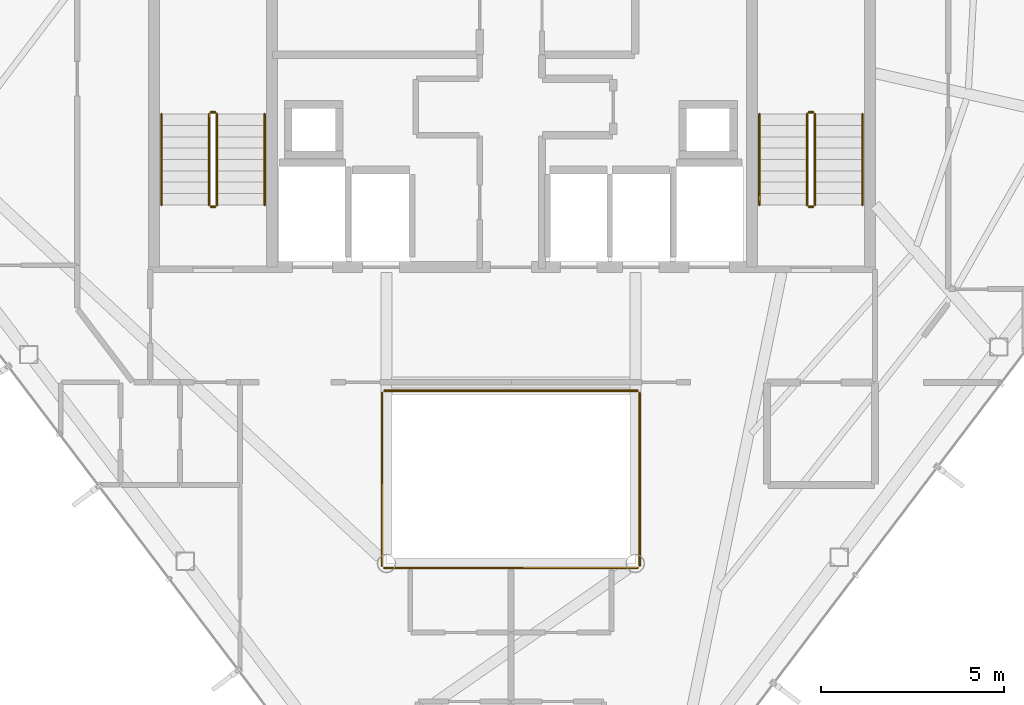
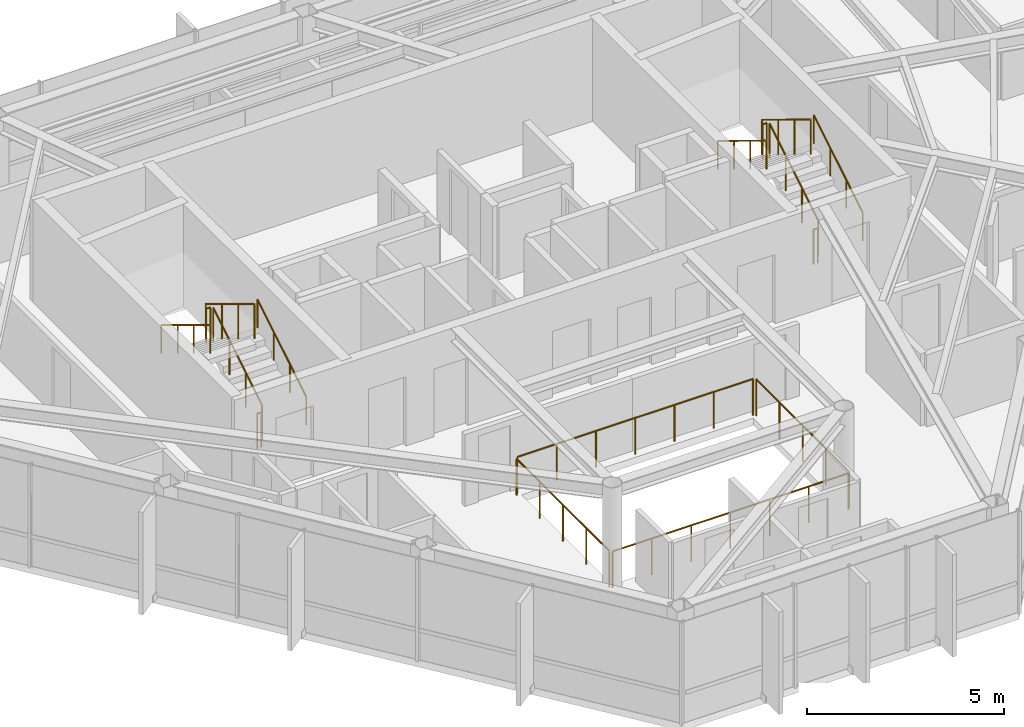
# One storey, part 26 of 26: 16 railings.
"""IFC4 building model written with IfcOpenShell, lengths in metres."""

from ifc_helpers import new_model, si_unit, direction, frame, origin, origin_2d, place, context, subcontext, project, spatial, circle, extrude, material, type_object, element, save


model = new_model("IFC4")

# Units and contexts
model_context = context("Model", 3, precision=1e-05, world=origin(), true_north=direction((0.0, 1.0)))
body_context = subcontext(model_context, "Body", "Model", "MODEL_VIEW")
ifc_project = project(units=[si_unit("LENGTHUNIT", "METRE"), si_unit("AREAUNIT", "SQUARE_METRE"), si_unit("VOLUMEUNIT", "CUBIC_METRE"), si_unit("PLANEANGLEUNIT", "RADIAN"), si_unit("MASSUNIT", "GRAM", prefix="KILO")], contexts=[model_context])

# Site, building, storey
site_placement = place(None, origin())
site = spatial("IfcSite", under=ifc_project, at=site_placement, CompositionType="ELEMENT")
building_placement = place(site_placement, origin())
building = spatial("IfcBuilding", under=site, at=building_placement, Name="Zarrinselat Tower", CompositionType="ELEMENT")
storey_placement = place(building_placement, frame((0.0, 0.0, 258.39990234375)))
storey = spatial("IfcBuildingStorey", under=building, at=storey_placement, Name="L65", CompositionType="ELEMENT", Elevation=258.39990234375)

# Railings
ifc_material_1 = material(Name="Double Low-E Laminated Solar Glass", Category="glass")
railing_type_1 = type_object("IfcRailingType", Name="RLG-ATRIUM-BAL", PredefinedType="BALUSTRADE", material=ifc_material_1)
railing_1_placement = place(storey_placement, frame((34.93994140625, 25.080078125, 0.0)))
element("IfcRailing", 1, at=railing_1_placement, inside=storey, type_object=railing_type_1, Name="L65 Atrium Void Glass Balustrade S", PredefinedType="BALUSTRADE", context=body_context, shape_type="SweptSolid", body=[
    extrude(circle(Radius=0.02392578125, at=origin_2d()), frame((0.0, 0.0, 1.1259765625), z_axis=(1.0, 0.0, 0.0), x_axis=(0.0, 1.0, 0.0)), (0.0, 0.0, 1.0), 6.920166015625),
    extrude(circle(Radius=0.02099609375, at=origin_2d()), origin(), (0.0, 0.0, 1.0), 1.099853515625),
    extrude(circle(Radius=0.02099609375, at=origin_2d()), frame((1.1533203125, 0.0, 0.0)), (0.0, 0.0, 1.0), 1.099853515625),
    extrude(circle(Radius=0.02099609375, at=origin_2d()), frame((2.306640625, 0.0, 0.0)), (0.0, 0.0, 1.0), 1.099853515625),
    extrude(circle(Radius=0.02099609375, at=origin_2d()), frame((3.4599609375, 0.0, 0.0)), (0.0, 0.0, 1.0), 1.099853515625),
    extrude(circle(Radius=0.02099609375, at=origin_2d()), frame((4.613525390625, 0.0, 0.0)), (0.0, 0.0, 1.0), 1.099853515625),
    extrude(circle(Radius=0.02099609375, at=origin_2d()), frame((5.766845703125, 0.0, 0.0)), (0.0, 0.0, 1.0), 1.099853515625),
    extrude(circle(Radius=0.02099609375, at=origin_2d()), frame((6.920166015625, 0.0, 0.0)), (0.0, 0.0, 1.0), 1.099853515625),
])
railing_2_placement = place(storey_placement, frame((41.919921875, 25.139892578125, 0.0)))
element("IfcRailing", 2, at=railing_2_placement, inside=storey, type_object=railing_type_1, Name="L65 Atrium Void Glass Balustrade E", PredefinedType="BALUSTRADE", context=body_context, shape_type="SweptSolid", body=[
    extrude(circle(Radius=0.02392578125, at=origin_2d()), frame((0.0, 0.0, 1.1259765625), z_axis=(0.0, 1.0, 0.0), x_axis=(-1.0, 0.0, 0.0)), (0.0, 0.0, 1.0), 4.72021484375),
    extrude(circle(Radius=0.02099609375, at=origin_2d()), origin(), (0.0, 0.0, 1.0), 1.099853515625),
    extrude(circle(Radius=0.02099609375, at=origin_2d()), frame((0.0, 1.18017578125, 0.0)), (0.0, 0.0, 1.0), 1.099853515625),
    extrude(circle(Radius=0.02099609375, at=origin_2d()), frame((0.0, 2.360107421875, 0.0)), (0.0, 0.0, 1.0), 1.099853515625),
    extrude(circle(Radius=0.02099609375, at=origin_2d()), frame((0.0, 3.5400390625, 0.0)), (0.0, 0.0, 1.0), 1.099853515625),
    extrude(circle(Radius=0.02099609375, at=origin_2d()), frame((0.0, 4.72021484375, 0.0)), (0.0, 0.0, 1.0), 1.099853515625),
])
railing_3_placement = place(storey_placement, frame((41.860107421875, 29.919921875, 0.0)))
element("IfcRailing", 3, at=railing_3_placement, inside=storey, type_object=railing_type_1, Name="L65 Atrium Void Glass Balustrade N", PredefinedType="BALUSTRADE", context=body_context, shape_type="SweptSolid", body=[
    extrude(circle(Radius=0.02392578125, at=origin_2d()), frame((0.0, 0.0, 1.1259765625), z_axis=(-1.0, 0.0, 0.0), x_axis=(0.0, -1.0, 0.0)), (0.0, 0.0, 1.0), 6.920166015625),
    extrude(circle(Radius=0.02099609375, at=origin_2d()), origin(), (0.0, 0.0, 1.0), 1.099853515625),
    extrude(circle(Radius=0.02099609375, at=origin_2d()), frame((-1.1533203125, 0.0, 0.0)), (0.0, 0.0, 1.0), 1.099853515625),
    extrude(circle(Radius=0.02099609375, at=origin_2d()), frame((-2.306640625, 0.0, 0.0)), (0.0, 0.0, 1.0), 1.099853515625),
    extrude(circle(Radius=0.02099609375, at=origin_2d()), frame((-3.4599609375, 0.0, 0.0)), (0.0, 0.0, 1.0), 1.099853515625),
    extrude(circle(Radius=0.02099609375, at=origin_2d()), frame((-4.613525390625, 0.0, 0.0)), (0.0, 0.0, 1.0), 1.099853515625),
    extrude(circle(Radius=0.02099609375, at=origin_2d()), frame((-5.766845703125, 0.0, 0.0)), (0.0, 0.0, 1.0), 1.099853515625),
    extrude(circle(Radius=0.02099609375, at=origin_2d()), frame((-6.920166015625, 0.0, 0.0)), (0.0, 0.0, 1.0), 1.099853515625),
])
railing_4_placement = place(storey_placement, frame((34.8798828125, 29.860107421875, 0.0)))
element("IfcRailing", 4, at=railing_4_placement, inside=storey, type_object=railing_type_1, Name="L65 Atrium Void Glass Balustrade W", PredefinedType="BALUSTRADE", context=body_context, shape_type="SweptSolid", body=[
    extrude(circle(Radius=0.02392578125, at=origin_2d()), frame((0.0, 0.0, 1.1259765625), z_axis=(0.0, -1.0, 0.0), x_axis=(1.0, 0.0, 0.0)), (0.0, 0.0, 1.0), 4.72021484375),
    extrude(circle(Radius=0.02099609375, at=origin_2d()), origin(), (0.0, 0.0, 1.0), 1.099853515625),
    extrude(circle(Radius=0.02099609375, at=origin_2d()), frame((0.0, -1.18017578125, 0.0)), (0.0, 0.0, 1.0), 1.099853515625),
    extrude(circle(Radius=0.02099609375, at=origin_2d()), frame((0.0, -2.360107421875, 0.0)), (0.0, 0.0, 1.0), 1.099853515625),
    extrude(circle(Radius=0.02099609375, at=origin_2d()), frame((0.0, -3.5400390625, 0.0)), (0.0, 0.0, 1.0), 1.099853515625),
    extrude(circle(Radius=0.02099609375, at=origin_2d()), frame((0.0, -4.72021484375, 0.0)), (0.0, 0.0, 1.0), 1.099853515625),
])
ifc_material_2 = material(Name="Steel S355J2", Category="steel")
railing_type_2 = type_object("IfcRailingType", Name="RLG-STAIR-GUARD", PredefinedType="GUARDRAIL", material=ifc_material_2)
railing_5_placement = place(storey_placement, frame((30.3701171875, 35.0, 0.18896484375)))
element("IfcRailing", 5, at=railing_5_placement, inside=storey, type_object=railing_type_2, Name="L65 ST-1 stair guard 1", PredefinedType="GUARDRAIL", context=body_context, shape_type="SweptSolid", body=[
    extrude(circle(Radius=0.02392578125, at=origin_2d()), frame((0.0, 0.0, 1.076171875), z_axis=(0.0, 0.853941963558, 0.520368256982), x_axis=(-1.0, 0.0, 0.0)), (0.0, 0.0, 1.0), 2.904052734375),
    extrude(circle(Radius=0.02099609375, at=origin_2d()), origin(), (0.0, 0.0, 1.0), 1.050048828125),
    extrude(circle(Radius=0.02099609375, at=origin_2d()), frame((0.0, 0.82666015625, 0.503662109375)), (0.0, 0.0, 1.0), 1.050048828125),
    extrude(circle(Radius=0.02099609375, at=origin_2d()), frame((0.0, 1.6533203125, 1.007568359375)), (0.0, 0.0, 1.0), 1.050048828125),
    extrude(circle(Radius=0.02099609375, at=origin_2d()), frame((0.0, 2.47998046875, 1.51123046875)), (0.0, 0.0, 1.0), 1.050048828125),
])
railing_6_placement = place(storey_placement, frame((30.320068359375, 37.530029296875, 1.7001953125)))
element("IfcRailing", 6, at=railing_6_placement, inside=storey, type_object=railing_type_2, Name="L65 ST-1 stair guard 2", PredefinedType="GUARDRAIL", context=body_context, shape_type="SweptSolid", body=[
    extrude(circle(Radius=0.02392578125, at=origin_2d()), frame((0.0, 0.0, 1.076171875), z_axis=(-1.0, 0.0, 0.0), x_axis=(0.0, -1.0, 0.0)), (0.0, 0.0, 1.0), 0.1201171875),
    extrude(circle(Radius=0.02099609375, at=origin_2d()), origin(), (0.0, 0.0, 1.0), 1.050048828125),
    extrude(circle(Radius=0.02099609375, at=origin_2d()), frame((-0.1201171875, 0.0, 0.0)), (0.0, 0.0, 1.0), 1.050048828125),
])
railing_7_placement = place(storey_placement, frame((30.14990234375, 37.47998046875, 1.888916015625)))
element("IfcRailing", 7, at=railing_7_placement, inside=storey, type_object=railing_type_2, Name="L65 ST-1 stair guard 3", PredefinedType="GUARDRAIL", context=body_context, shape_type="SweptSolid", body=[
    extrude(circle(Radius=0.02392578125, at=origin_2d()), frame((0.0, 0.0, 1.076171875), z_axis=(0.0, -0.853941963558, 0.520368256982), x_axis=(1.0, 0.0, 0.0)), (0.0, 0.0, 1.0), 2.904052734375),
    extrude(circle(Radius=0.02099609375, at=origin_2d()), origin(), (0.0, 0.0, 1.0), 1.050048828125),
    extrude(circle(Radius=0.02099609375, at=origin_2d()), frame((0.0, -0.82666015625, 0.503662109375)), (0.0, 0.0, 1.0), 1.050048828125),
    extrude(circle(Radius=0.02099609375, at=origin_2d()), frame((0.0, -1.6533203125, 1.007568359375)), (0.0, 0.0, 1.0), 1.050048828125),
    extrude(circle(Radius=0.02099609375, at=origin_2d()), frame((0.0, -2.47998046875, 1.51123046875)), (0.0, 0.0, 1.0), 1.050048828125),
])
railing_8_placement = place(storey_placement, frame((30.320068359375, 34.949951171875, 0.0)))
element("IfcRailing", 8, at=railing_8_placement, inside=storey, type_object=railing_type_2, Name="L65 ST-1 stair guard 4", PredefinedType="GUARDRAIL", context=body_context, shape_type="SweptSolid", body=[
    extrude(circle(Radius=0.02392578125, at=origin_2d()), frame((0.0, 0.0, 1.076171875), z_axis=(-1.0, 0.0, 0.0), x_axis=(0.0, -1.0, 0.0)), (0.0, 0.0, 1.0), 0.1201171875),
    extrude(circle(Radius=0.02099609375, at=origin_2d()), origin(), (0.0, 0.0, 1.0), 1.050048828125),
    extrude(circle(Radius=0.02099609375, at=origin_2d()), frame((-0.1201171875, 0.0, 0.0)), (0.0, 0.0, 1.0), 1.050048828125),
])
railing_9_placement = place(storey_placement, frame((46.7099609375, 35.0, 0.18896484375)))
element("IfcRailing", 9, at=railing_9_placement, inside=storey, type_object=railing_type_2, Name="L65 ST-2 stair guard 1", PredefinedType="GUARDRAIL", context=body_context, shape_type="SweptSolid", body=[
    extrude(circle(Radius=0.02392578125, at=origin_2d()), frame((0.0, 0.0, 1.076171875), z_axis=(0.0, 0.853941963558, 0.520368256982), x_axis=(-1.0, 0.0, 0.0)), (0.0, 0.0, 1.0), 2.904052734375),
    extrude(circle(Radius=0.02099609375, at=origin_2d()), origin(), (0.0, 0.0, 1.0), 1.050048828125),
    extrude(circle(Radius=0.02099609375, at=origin_2d()), frame((0.0, 0.82666015625, 0.503662109375)), (0.0, 0.0, 1.0), 1.050048828125),
    extrude(circle(Radius=0.02099609375, at=origin_2d()), frame((0.0, 1.6533203125, 1.007568359375)), (0.0, 0.0, 1.0), 1.050048828125),
    extrude(circle(Radius=0.02099609375, at=origin_2d()), frame((0.0, 2.47998046875, 1.51123046875)), (0.0, 0.0, 1.0), 1.050048828125),
])
railing_10_placement = place(storey_placement, frame((46.659912109375, 37.530029296875, 1.7001953125)))
element("IfcRailing", 10, at=railing_10_placement, inside=storey, type_object=railing_type_2, Name="L65 ST-2 stair guard 2", PredefinedType="GUARDRAIL", context=body_context, shape_type="SweptSolid", body=[
    extrude(circle(Radius=0.02392578125, at=origin_2d()), frame((0.0, 0.0, 1.076171875), z_axis=(-1.0, 0.0, 0.0), x_axis=(0.0, -1.0, 0.0)), (0.0, 0.0, 1.0), 0.119873046875),
    extrude(circle(Radius=0.02099609375, at=origin_2d()), origin(), (0.0, 0.0, 1.0), 1.050048828125),
    extrude(circle(Radius=0.02099609375, at=origin_2d()), frame((-0.119873046875, 0.0, 0.0)), (0.0, 0.0, 1.0), 1.050048828125),
])
railing_11_placement = place(storey_placement, frame((46.489990234375, 37.47998046875, 1.888916015625)))
element("IfcRailing", 11, at=railing_11_placement, inside=storey, type_object=railing_type_2, Name="L65 ST-2 stair guard 3", PredefinedType="GUARDRAIL", context=body_context, shape_type="SweptSolid", body=[
    extrude(circle(Radius=0.02392578125, at=origin_2d()), frame((0.0, 0.0, 1.076171875), z_axis=(0.0, -0.853941963558, 0.520368256982), x_axis=(1.0, 0.0, 0.0)), (0.0, 0.0, 1.0), 2.904052734375),
    extrude(circle(Radius=0.02099609375, at=origin_2d()), origin(), (0.0, 0.0, 1.0), 1.050048828125),
    extrude(circle(Radius=0.02099609375, at=origin_2d()), frame((0.0, -0.82666015625, 0.503662109375)), (0.0, 0.0, 1.0), 1.050048828125),
    extrude(circle(Radius=0.02099609375, at=origin_2d()), frame((0.0, -1.6533203125, 1.007568359375)), (0.0, 0.0, 1.0), 1.050048828125),
    extrude(circle(Radius=0.02099609375, at=origin_2d()), frame((0.0, -2.47998046875, 1.51123046875)), (0.0, 0.0, 1.0), 1.050048828125),
])
railing_12_placement = place(storey_placement, frame((46.659912109375, 34.949951171875, 0.0)))
element("IfcRailing", 12, at=railing_12_placement, inside=storey, type_object=railing_type_2, Name="L65 ST-2 stair guard 4", PredefinedType="GUARDRAIL", context=body_context, shape_type="SweptSolid", body=[
    extrude(circle(Radius=0.02392578125, at=origin_2d()), frame((0.0, 0.0, 1.076171875), z_axis=(-1.0, 0.0, 0.0), x_axis=(0.0, -1.0, 0.0)), (0.0, 0.0, 1.0), 0.119873046875),
    extrude(circle(Radius=0.02099609375, at=origin_2d()), origin(), (0.0, 0.0, 1.0), 1.050048828125),
    extrude(circle(Radius=0.02099609375, at=origin_2d()), frame((-0.119873046875, 0.0, 0.0)), (0.0, 0.0, 1.0), 1.050048828125),
])
ifc_material_3 = material(Name="Steel S355J2", Category="steel")
railing_type_3 = type_object("IfcRailingType", Name="RLG-STAIR-HAND", PredefinedType="HANDRAIL", material=ifc_material_3)
railing_13_placement = place(storey_placement, frame((31.669921875, 35.0, 0.18896484375)))
element("IfcRailing", 13, at=railing_13_placement, inside=storey, type_object=railing_type_3, Name="L65 ST-1 stair handrail 1", PredefinedType="HANDRAIL", context=body_context, shape_type="SweptSolid", body=[
    extrude(circle(Radius=0.02392578125, at=origin_2d()), frame((0.0, 0.0, 0.8759765625), z_axis=(0.0, 0.853941963558, 0.520368256982), x_axis=(-1.0, 0.0, 0.0)), (0.0, 0.0, 1.0), 2.904052734375),
    extrude(circle(Radius=0.02099609375, at=origin_2d()), origin(), (0.0, 0.0, 1.0), 0.849853515625),
    extrude(circle(Radius=0.02099609375, at=origin_2d()), frame((0.0, 0.82666015625, 0.503662109375)), (0.0, 0.0, 1.0), 0.849853515625),
    extrude(circle(Radius=0.02099609375, at=origin_2d()), frame((0.0, 1.6533203125, 1.007568359375)), (0.0, 0.0, 1.0), 0.849853515625),
    extrude(circle(Radius=0.02099609375, at=origin_2d()), frame((0.0, 2.47998046875, 1.51123046875)), (0.0, 0.0, 1.0), 0.849853515625),
])
railing_14_placement = place(storey_placement, frame((28.85009765625, 37.47998046875, 1.888916015625)))
element("IfcRailing", 14, at=railing_14_placement, inside=storey, type_object=railing_type_3, Name="L65 ST-1 stair handrail 2", PredefinedType="HANDRAIL", context=body_context, shape_type="SweptSolid", body=[
    extrude(circle(Radius=0.02392578125, at=origin_2d()), frame((0.0, 0.0, 0.8759765625), z_axis=(0.0, -0.853941963558, 0.520368256982), x_axis=(1.0, 0.0, 0.0)), (0.0, 0.0, 1.0), 2.904052734375),
    extrude(circle(Radius=0.02099609375, at=origin_2d()), origin(), (0.0, 0.0, 1.0), 0.849853515625),
    extrude(circle(Radius=0.02099609375, at=origin_2d()), frame((0.0, -0.82666015625, 0.503662109375)), (0.0, 0.0, 1.0), 0.849853515625),
    extrude(circle(Radius=0.02099609375, at=origin_2d()), frame((0.0, -1.6533203125, 1.007568359375)), (0.0, 0.0, 1.0), 0.849853515625),
    extrude(circle(Radius=0.02099609375, at=origin_2d()), frame((0.0, -2.47998046875, 1.51123046875)), (0.0, 0.0, 1.0), 0.849853515625),
])
railing_15_placement = place(storey_placement, frame((48.010009765625, 35.0, 0.18896484375)))
element("IfcRailing", 15, at=railing_15_placement, inside=storey, type_object=railing_type_3, Name="L65 ST-2 stair handrail 1", PredefinedType="HANDRAIL", context=body_context, shape_type="SweptSolid", body=[
    extrude(circle(Radius=0.02392578125, at=origin_2d()), frame((0.0, 0.0, 0.8759765625), z_axis=(0.0, 0.853941963558, 0.520368256982), x_axis=(-1.0, 0.0, 0.0)), (0.0, 0.0, 1.0), 2.904052734375),
    extrude(circle(Radius=0.02099609375, at=origin_2d()), origin(), (0.0, 0.0, 1.0), 0.849853515625),
    extrude(circle(Radius=0.02099609375, at=origin_2d()), frame((0.0, 0.82666015625, 0.503662109375)), (0.0, 0.0, 1.0), 0.849853515625),
    extrude(circle(Radius=0.02099609375, at=origin_2d()), frame((0.0, 1.6533203125, 1.007568359375)), (0.0, 0.0, 1.0), 0.849853515625),
    extrude(circle(Radius=0.02099609375, at=origin_2d()), frame((0.0, 2.47998046875, 1.51123046875)), (0.0, 0.0, 1.0), 0.849853515625),
])
railing_16_placement = place(storey_placement, frame((45.18994140625, 37.47998046875, 1.888916015625)))
element("IfcRailing", 16, at=railing_16_placement, inside=storey, type_object=railing_type_3, Name="L65 ST-2 stair handrail 2", PredefinedType="HANDRAIL", context=body_context, shape_type="SweptSolid", body=[
    extrude(circle(Radius=0.02392578125, at=origin_2d()), frame((0.0, 0.0, 0.8759765625), z_axis=(0.0, -0.853941963558, 0.520368256982), x_axis=(1.0, 0.0, 0.0)), (0.0, 0.0, 1.0), 2.904052734375),
    extrude(circle(Radius=0.02099609375, at=origin_2d()), origin(), (0.0, 0.0, 1.0), 0.849853515625),
    extrude(circle(Radius=0.02099609375, at=origin_2d()), frame((0.0, -0.82666015625, 0.503662109375)), (0.0, 0.0, 1.0), 0.849853515625),
    extrude(circle(Radius=0.02099609375, at=origin_2d()), frame((0.0, -1.6533203125, 1.007568359375)), (0.0, 0.0, 1.0), 0.849853515625),
    extrude(circle(Radius=0.02099609375, at=origin_2d()), frame((0.0, -2.47998046875, 1.51123046875)), (0.0, 0.0, 1.0), 0.849853515625),
])

save(model, "model.ifc")
